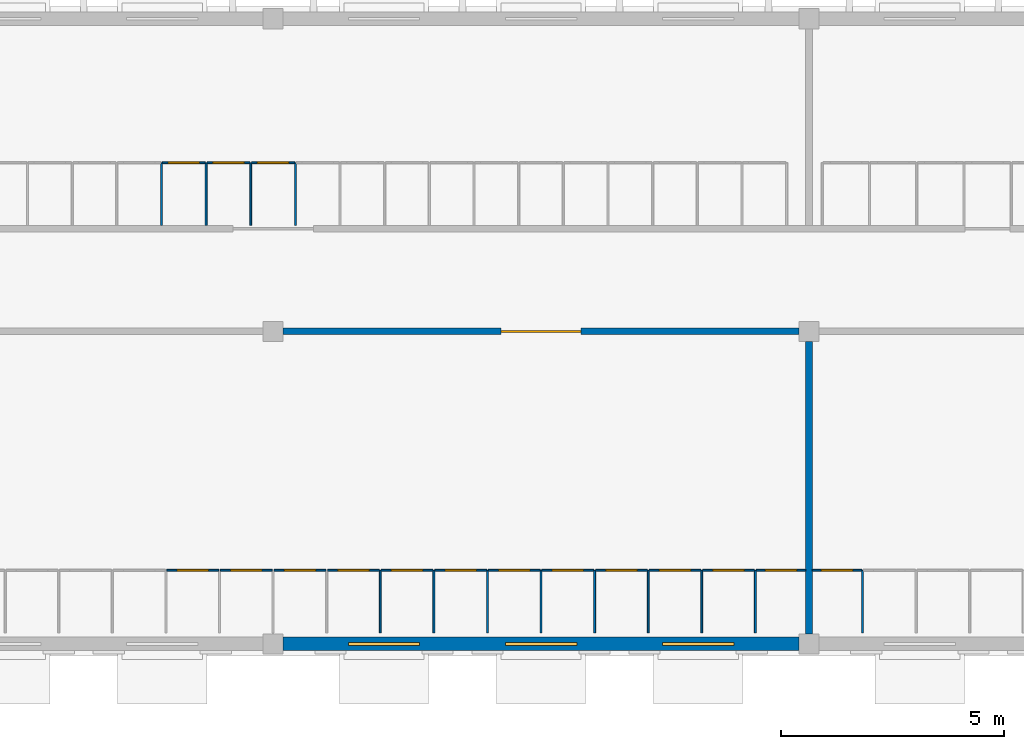
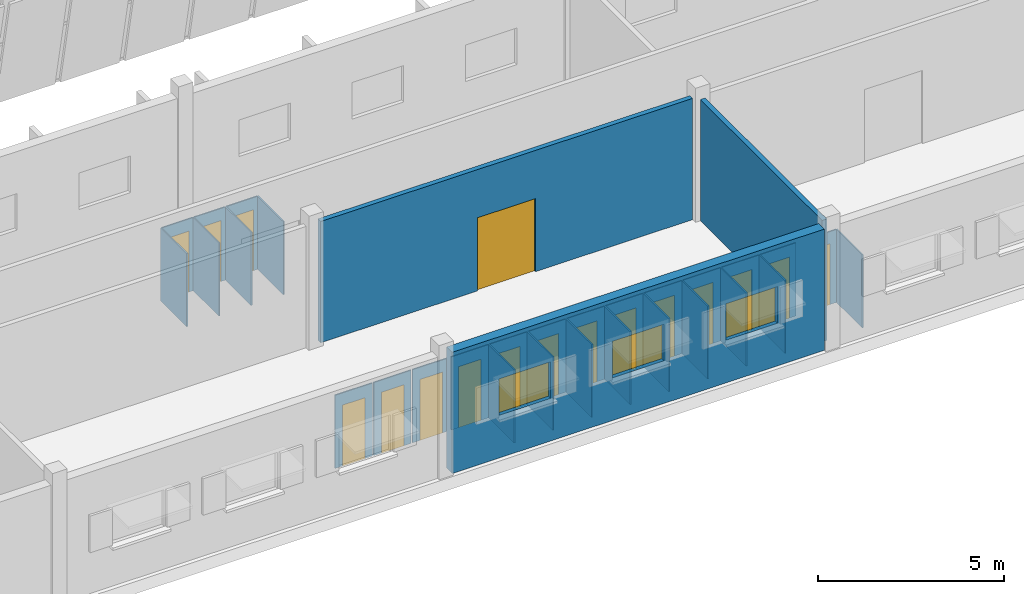
# One storey, part 63 of 115: 32 walls, 17 doors, 3 windows, 20 openings.
"""IFC4 building model written with IfcOpenShell, lengths in metres."""

from ifc_helpers import new_model, si_unit, direction, frame, frame_2d, origin, place, context, subcontext, project, spatial, rectangle, extrude, material, layer, layer_set, type_object, element, fill, save


model = new_model("IFC4")

# Units and contexts
model_context = context("Model", 3, precision=1e-05, world=origin(), true_north=direction((0.0, 1.0)))
body_context = subcontext(model_context, "Body", "Model", "MODEL_VIEW")
ifc_project = project(units=[si_unit("LENGTHUNIT", "METRE"), si_unit("AREAUNIT", "SQUARE_METRE"), si_unit("VOLUMEUNIT", "CUBIC_METRE"), si_unit("PLANEANGLEUNIT", "RADIAN"), si_unit("MASSUNIT", "GRAM", prefix="KILO")], contexts=[model_context])

# Site, building, storey
site_placement = place(None, origin())
site = spatial("IfcSite", under=ifc_project, at=site_placement, CompositionType="ELEMENT")
building_placement = place(site_placement, origin())
building = spatial("IfcBuilding", under=site, at=building_placement, Name="Windward Yard Aquatics Centre", CompositionType="ELEMENT")
storey_placement = place(building_placement, frame((0.0, 0.0, 5.0)))
storey = spatial("IfcBuildingStorey", under=building, at=storey_placement, Name="L01", CompositionType="ELEMENT", Elevation=5.0)

# Wall, opening, door
ifc_material_1 = material(Name="Concrete masonry unit plastered", Category="masonry")
ifc_layer_1 = layer(ifc_material_1, 0.14990234375)
ifc_layer_set_1 = layer_set([ifc_layer_1], Name="C block partition 150")
wall_type_1 = type_object("IfcWallType", Name="C block partition 150", PredefinedType="PARTITIONING", material=ifc_layer_set_1)
wall_1_placement = place(storey_placement, frame((72.22509765625, 12.0, 0.0), z_axis=(0.0, 0.0, 1.0), x_axis=(1.0, 0.0, 0.0)))
wall_1 = element("IfcWall", 1, at=wall_1_placement, inside=storey, type_object=wall_type_1, Name="C.W.L01.SP.S.3", PredefinedType="PARTITIONING", context=body_context, shape_type="SweptSolid", body=[
    extrude(rectangle(XDim=11.5498046875, YDim=0.14990234375, at=frame_2d((5.77490234375, 0.0))), origin(), (0.0, 0.0, 1.0), 3.97998046875),
])
opening_1_placement = place(wall_1_placement, frame((4.875, 0.0, 0.0)))
opening_1 = element("IfcOpeningElement", 2, at=opening_1_placement, cuts=wall_1, Name="Opening C1002", PredefinedType="OPENING", context=body_context, shape_type="SweptSolid", body=[
    extrude(rectangle(XDim=1.800048828125, YDim=2.39990234375, at=frame_2d((0.89990234375, 1.199951171875))), frame((0.0, 0.0849609375, 0.0), z_axis=(0.0, -1.0, 0.0), x_axis=(1.0, 0.0, 0.0)), (0.0, 0.0, 1.0), 0.169921875),
])
ifc_material_2 = material(Name="Timber door leaf in steel frame", Category="steel")
door_type_1 = type_object("IfcDoorType", Name="C double door 1800X2400 FD30S", OperationType="DOUBLE_DOOR_SINGLE_SWING", PredefinedType="DOOR", material=ifc_material_2)
door_1_placement = place(opening_1_placement, origin())
door_1 = element("IfcDoor", 3, at=door_1_placement, inside=storey, type_object=door_type_1, Name="Door C1002", OperationType="DOUBLE_DOOR_SINGLE_SWING", OverallHeight=2.39990234375, OverallWidth=1.800048828125, PredefinedType="DOOR", context=body_context, shape_type="SweptSolid", body=[
    extrude(rectangle(XDim=1.800048828125, YDim=2.39990234375, at=frame_2d((0.89990234375, 1.199951171875))), frame((0.0, 0.02490234375, 0.0), z_axis=(0.0, -1.0, 0.0), x_axis=(1.0, 0.0, 0.0)), (0.0, 0.0, 1.0), 0.050048828125),
])
fill(opening_1, door_1)

# Walls
wall_2_placement = place(storey_placement, frame((84.0, 5.22509765625, 0.0), z_axis=(0.0, 0.0, 1.0), x_axis=(0.0, 1.0, 0.0)))
element("IfcWall", 4, at=wall_2_placement, inside=storey, type_object=wall_type_1, Name="C.W.L01.SD.32.1", PredefinedType="PARTITIONING", context=body_context, shape_type="SweptSolid", body=[
    extrude(rectangle(XDim=6.5498046875, YDim=0.14990234375, at=frame_2d((3.27490234375, 0.0))), origin(), (0.0, 0.0, 1.0), 3.97998046875),
])
ifc_material_3 = material(Name="High-pressure laminate panel on stainless frame")
ifc_layer_2 = layer(ifc_material_3, 0.0400390625)
ifc_layer_set_2 = layer_set([ifc_layer_2], Name="C cubicle panel 40")
wall_type_2 = type_object("IfcWallType", Name="C cubicle panel 40", PredefinedType="PARTITIONING", material=ifc_layer_set_2)
for number, where, z_axis, x_axis, name in (
    (5, (74.39990234375, 5.25, 0.0), (0.0, 0.0, 1.0), (0.0, 1.0, 0.0), "C.W.L01.A.P12"),
    (6, (75.60009765625, 5.25, 0.0), (0.0, 0.0, 1.0), (0.0, 1.0, 0.0), "C.W.L01.A.P13"),
    (7, (76.800048828125, 5.25, 0.0), (0.0, 0.0, 1.0), (0.0, 1.0, 0.0), "C.W.L01.A.P14"),
    (8, (78.0, 5.25, 0.0), (0.0, 0.0, 1.0), (0.0, 1.0, 0.0), "C.W.L01.A.P15"),
    (9, (79.199951171875, 5.25, 0.0), (0.0, 0.0, 1.0), (0.0, 1.0, 0.0), "C.W.L01.A.P16"),
    (10, (80.39990234375, 5.25, 0.0), (0.0, 0.0, 1.0), (0.0, 1.0, 0.0), "C.W.L01.A.P17"),
    (11, (81.60009765625, 5.25, 0.0), (0.0, 0.0, 1.0), (0.0, 1.0, 0.0), "C.W.L01.A.P18"),
    (12, (82.800048828125, 5.25, 0.0), (0.0, 0.0, 1.0), (0.0, 1.0, 0.0), "C.W.L01.A.P19"),
    (13, (85.199951171875, 5.25, 0.0), (0.0, 0.0, 1.0), (0.0, 1.0, 0.0), "C.W.L01.A.P21"),
):
    element("IfcWall", number, at=place(storey_placement, frame(where, z_axis=z_axis, x_axis=x_axis)), inside=storey, type_object=wall_type_2, Name=name, PredefinedType="PARTITIONING", context=body_context, shape_type="SweptSolid", body=[
        extrude(rectangle(XDim=1.39990234375, YDim=0.0400390625, at=frame_2d((0.699951171875, 0.0))), origin(), (0.0, 0.0, 1.0), 2.39990234375),
    ])

# Wall, opening, door
wall_3_placement = place(storey_placement, frame((69.6201171875, 6.64990234375, 0.0), z_axis=(0.0, 0.0, 1.0), x_axis=(1.0, 0.0, 0.0)))
wall_3 = element("IfcWall", 14, at=wall_3_placement, inside=storey, type_object=wall_type_2, Name="C.W.L01.A.F8", PredefinedType="PARTITIONING", context=body_context, shape_type="SweptSolid", body=[
    extrude(rectangle(XDim=1.159912109375, YDim=0.0400390625, at=frame_2d((0.580078125, 0.0))), origin(), (0.0, 0.0, 1.0), 2.39990234375),
])
opening_2_placement = place(wall_3_placement, frame((0.22998046875, 0.0, 0.0)))
opening_2 = element("IfcOpeningElement", 15, at=opening_2_placement, cuts=wall_3, Name="Opening C1029", PredefinedType="OPENING", context=body_context, shape_type="SweptSolid", body=[
    extrude(rectangle(XDim=0.699951171875, YDim=2.0, at=frame_2d((0.35009765625, 1.0))), frame((0.0, 0.030029296875, 0.0), z_axis=(0.0, -1.0, 0.0), x_axis=(1.0, 0.0, 0.0)), (0.0, 0.0, 1.0), 0.06005859375),
])
ifc_material_4 = material(Name="High-pressure laminate door leaf")
door_type_2 = type_object("IfcDoorType", Name="C door 700X2000 NOT RATED", OperationType="SINGLE_SWING_LEFT", PredefinedType="DOOR", material=ifc_material_4)
door_2_placement = place(opening_2_placement, origin())
door_2 = element("IfcDoor", 16, at=door_2_placement, inside=storey, type_object=door_type_2, Name="Cubicle door A9", OperationType="SINGLE_SWING_LEFT", OverallHeight=2.0, OverallWidth=0.699951171875, PredefinedType="DOOR", context=body_context, shape_type="SweptSolid", body=[
    extrude(rectangle(XDim=0.699951171875, YDim=2.0, at=frame_2d((0.35009765625, 1.0))), frame((0.0, 0.019775390625, 0.0), z_axis=(0.0, -1.0, 0.0), x_axis=(1.0, 0.0, 0.0)), (0.0, 0.0, 1.0), 0.03955078125),
])
fill(opening_2, door_2)

wall_4_placement = place(storey_placement, frame((70.820068359375, 6.64990234375, 0.0), z_axis=(0.0, 0.0, 1.0), x_axis=(1.0, 0.0, 0.0)))
wall_4 = element("IfcWall", 17, at=wall_4_placement, inside=storey, type_object=wall_type_2, Name="C.W.L01.A.F9", PredefinedType="PARTITIONING", context=body_context, shape_type="SweptSolid", body=[
    extrude(rectangle(XDim=1.159912109375, YDim=0.0400390625, at=frame_2d((0.580078125, 0.0))), origin(), (0.0, 0.0, 1.0), 2.39990234375),
])
opening_3_placement = place(wall_4_placement, frame((0.22998046875, 0.0, 0.0)))
opening_3 = element("IfcOpeningElement", 18, at=opening_3_placement, cuts=wall_4, Name="Opening C1030", PredefinedType="OPENING", context=body_context, shape_type="SweptSolid", body=[
    extrude(rectangle(XDim=0.699951171875, YDim=2.0, at=frame_2d((0.35009765625, 1.0))), frame((0.0, 0.030029296875, 0.0), z_axis=(0.0, -1.0, 0.0), x_axis=(1.0, 0.0, 0.0)), (0.0, 0.0, 1.0), 0.06005859375),
])
door_3_placement = place(opening_3_placement, origin())
door_3 = element("IfcDoor", 19, at=door_3_placement, inside=storey, type_object=door_type_2, Name="Cubicle door A10", OperationType="SINGLE_SWING_LEFT", OverallHeight=2.0, OverallWidth=0.699951171875, PredefinedType="DOOR", context=body_context, shape_type="SweptSolid", body=[
    extrude(rectangle(XDim=0.699951171875, YDim=2.0, at=frame_2d((0.35009765625, 1.0))), frame((0.0, 0.019775390625, 0.0), z_axis=(0.0, -1.0, 0.0), x_axis=(1.0, 0.0, 0.0)), (0.0, 0.0, 1.0), 0.03955078125),
])
fill(opening_3, door_3)

wall_5_placement = place(storey_placement, frame((72.02001953125, 6.64990234375, 0.0), z_axis=(0.0, 0.0, 1.0), x_axis=(1.0, 0.0, 0.0)))
wall_5 = element("IfcWall", 20, at=wall_5_placement, inside=storey, type_object=wall_type_2, Name="C.W.L01.A.F10", PredefinedType="PARTITIONING", context=body_context, shape_type="SweptSolid", body=[
    extrude(rectangle(XDim=1.159912109375, YDim=0.0400390625, at=frame_2d((0.580078125, 0.0))), origin(), (0.0, 0.0, 1.0), 2.39990234375),
])
opening_4_placement = place(wall_5_placement, frame((0.22998046875, 0.0, 0.0)))
opening_4 = element("IfcOpeningElement", 21, at=opening_4_placement, cuts=wall_5, Name="Opening C1031", PredefinedType="OPENING", context=body_context, shape_type="SweptSolid", body=[
    extrude(rectangle(XDim=0.699951171875, YDim=2.0, at=frame_2d((0.35009765625, 1.0))), frame((0.0, 0.030029296875, 0.0), z_axis=(0.0, -1.0, 0.0), x_axis=(1.0, 0.0, 0.0)), (0.0, 0.0, 1.0), 0.06005859375),
])
door_4_placement = place(opening_4_placement, origin())
door_4 = element("IfcDoor", 22, at=door_4_placement, inside=storey, type_object=door_type_2, Name="Cubicle door A11", OperationType="SINGLE_SWING_LEFT", OverallHeight=2.0, OverallWidth=0.699951171875, PredefinedType="DOOR", context=body_context, shape_type="SweptSolid", body=[
    extrude(rectangle(XDim=0.699951171875, YDim=2.0, at=frame_2d((0.35009765625, 1.0))), frame((0.0, 0.019775390625, 0.0), z_axis=(0.0, -1.0, 0.0), x_axis=(1.0, 0.0, 0.0)), (0.0, 0.0, 1.0), 0.03955078125),
])
fill(opening_4, door_4)

wall_6_placement = place(storey_placement, frame((73.219970703125, 6.64990234375, 0.0), z_axis=(0.0, 0.0, 1.0), x_axis=(1.0, 0.0, 0.0)))
wall_6 = element("IfcWall", 23, at=wall_6_placement, inside=storey, type_object=wall_type_2, Name="C.W.L01.A.F11", PredefinedType="PARTITIONING", context=body_context, shape_type="SweptSolid", body=[
    extrude(rectangle(XDim=1.159912109375, YDim=0.0400390625, at=frame_2d((0.580078125, 0.0))), origin(), (0.0, 0.0, 1.0), 2.39990234375),
])
opening_5_placement = place(wall_6_placement, frame((0.22998046875, 0.0, 0.0)))
opening_5 = element("IfcOpeningElement", 24, at=opening_5_placement, cuts=wall_6, Name="Opening C1032", PredefinedType="OPENING", context=body_context, shape_type="SweptSolid", body=[
    extrude(rectangle(XDim=0.699951171875, YDim=2.0, at=frame_2d((0.35009765625, 1.0))), frame((0.0, 0.030029296875, 0.0), z_axis=(0.0, -1.0, 0.0), x_axis=(1.0, 0.0, 0.0)), (0.0, 0.0, 1.0), 0.06005859375),
])
door_5_placement = place(opening_5_placement, origin())
door_5 = element("IfcDoor", 25, at=door_5_placement, inside=storey, type_object=door_type_2, Name="Cubicle door A12", OperationType="SINGLE_SWING_LEFT", OverallHeight=2.0, OverallWidth=0.699951171875, PredefinedType="DOOR", context=body_context, shape_type="SweptSolid", body=[
    extrude(rectangle(XDim=0.699951171875, YDim=2.0, at=frame_2d((0.35009765625, 1.0))), frame((0.0, 0.019775390625, 0.0), z_axis=(0.0, -1.0, 0.0), x_axis=(1.0, 0.0, 0.0)), (0.0, 0.0, 1.0), 0.03955078125),
])
fill(opening_5, door_5)

wall_7_placement = place(storey_placement, frame((74.419921875, 6.64990234375, 0.0), z_axis=(0.0, 0.0, 1.0), x_axis=(1.0, 0.0, 0.0)))
wall_7 = element("IfcWall", 26, at=wall_7_placement, inside=storey, type_object=wall_type_2, Name="C.W.L01.A.F12", PredefinedType="PARTITIONING", context=body_context, shape_type="SweptSolid", body=[
    extrude(rectangle(XDim=1.16015625, YDim=0.0400390625, at=frame_2d((0.580078125, 0.0))), origin(), (0.0, 0.0, 1.0), 2.39990234375),
])
opening_6_placement = place(wall_7_placement, frame((0.22998046875, 0.0, 0.0)))
opening_6 = element("IfcOpeningElement", 27, at=opening_6_placement, cuts=wall_7, Name="Opening C1033", PredefinedType="OPENING", context=body_context, shape_type="SweptSolid", body=[
    extrude(rectangle(XDim=0.699951171875, YDim=2.0, at=frame_2d((0.35009765625, 1.0))), frame((0.0, 0.030029296875, 0.0), z_axis=(0.0, -1.0, 0.0), x_axis=(1.0, 0.0, 0.0)), (0.0, 0.0, 1.0), 0.06005859375),
])
door_6_placement = place(opening_6_placement, origin())
door_6 = element("IfcDoor", 28, at=door_6_placement, inside=storey, type_object=door_type_2, Name="Cubicle door A13", OperationType="SINGLE_SWING_LEFT", OverallHeight=2.0, OverallWidth=0.699951171875, PredefinedType="DOOR", context=body_context, shape_type="SweptSolid", body=[
    extrude(rectangle(XDim=0.699951171875, YDim=2.0, at=frame_2d((0.35009765625, 1.0))), frame((0.0, 0.019775390625, 0.0), z_axis=(0.0, -1.0, 0.0), x_axis=(1.0, 0.0, 0.0)), (0.0, 0.0, 1.0), 0.03955078125),
])
fill(opening_6, door_6)

wall_8_placement = place(storey_placement, frame((75.6201171875, 6.64990234375, 0.0), z_axis=(0.0, 0.0, 1.0), x_axis=(1.0, 0.0, 0.0)))
wall_8 = element("IfcWall", 29, at=wall_8_placement, inside=storey, type_object=wall_type_2, Name="C.W.L01.A.F13", PredefinedType="PARTITIONING", context=body_context, shape_type="SweptSolid", body=[
    extrude(rectangle(XDim=1.159912109375, YDim=0.0400390625, at=frame_2d((0.580078125, 0.0))), origin(), (0.0, 0.0, 1.0), 2.39990234375),
])
opening_7_placement = place(wall_8_placement, frame((0.22998046875, 0.0, 0.0)))
opening_7 = element("IfcOpeningElement", 30, at=opening_7_placement, cuts=wall_8, Name="Opening C1034", PredefinedType="OPENING", context=body_context, shape_type="SweptSolid", body=[
    extrude(rectangle(XDim=0.699951171875, YDim=2.0, at=frame_2d((0.35009765625, 1.0))), frame((0.0, 0.030029296875, 0.0), z_axis=(0.0, -1.0, 0.0), x_axis=(1.0, 0.0, 0.0)), (0.0, 0.0, 1.0), 0.06005859375),
])
door_7_placement = place(opening_7_placement, origin())
door_7 = element("IfcDoor", 31, at=door_7_placement, inside=storey, type_object=door_type_2, Name="Cubicle door A14", OperationType="SINGLE_SWING_LEFT", OverallHeight=2.0, OverallWidth=0.699951171875, PredefinedType="DOOR", context=body_context, shape_type="SweptSolid", body=[
    extrude(rectangle(XDim=0.699951171875, YDim=2.0, at=frame_2d((0.35009765625, 1.0))), frame((0.0, 0.019775390625, 0.0), z_axis=(0.0, -1.0, 0.0), x_axis=(1.0, 0.0, 0.0)), (0.0, 0.0, 1.0), 0.03955078125),
])
fill(opening_7, door_7)

wall_9_placement = place(storey_placement, frame((76.820068359375, 6.64990234375, 0.0), z_axis=(0.0, 0.0, 1.0), x_axis=(1.0, 0.0, 0.0)))
wall_9 = element("IfcWall", 32, at=wall_9_placement, inside=storey, type_object=wall_type_2, Name="C.W.L01.A.F14", PredefinedType="PARTITIONING", context=body_context, shape_type="SweptSolid", body=[
    extrude(rectangle(XDim=1.159912109375, YDim=0.0400390625, at=frame_2d((0.580078125, 0.0))), origin(), (0.0, 0.0, 1.0), 2.39990234375),
])
opening_8_placement = place(wall_9_placement, frame((0.22998046875, 0.0, 0.0)))
opening_8 = element("IfcOpeningElement", 33, at=opening_8_placement, cuts=wall_9, Name="Opening C1035", PredefinedType="OPENING", context=body_context, shape_type="SweptSolid", body=[
    extrude(rectangle(XDim=0.699951171875, YDim=2.0, at=frame_2d((0.35009765625, 1.0))), frame((0.0, 0.030029296875, 0.0), z_axis=(0.0, -1.0, 0.0), x_axis=(1.0, 0.0, 0.0)), (0.0, 0.0, 1.0), 0.06005859375),
])
door_8_placement = place(opening_8_placement, origin())
door_8 = element("IfcDoor", 34, at=door_8_placement, inside=storey, type_object=door_type_2, Name="Cubicle door A15", OperationType="SINGLE_SWING_LEFT", OverallHeight=2.0, OverallWidth=0.699951171875, PredefinedType="DOOR", context=body_context, shape_type="SweptSolid", body=[
    extrude(rectangle(XDim=0.699951171875, YDim=2.0, at=frame_2d((0.35009765625, 1.0))), frame((0.0, 0.019775390625, 0.0), z_axis=(0.0, -1.0, 0.0), x_axis=(1.0, 0.0, 0.0)), (0.0, 0.0, 1.0), 0.03955078125),
])
fill(opening_8, door_8)

wall_10_placement = place(storey_placement, frame((78.02001953125, 6.64990234375, 0.0), z_axis=(0.0, 0.0, 1.0), x_axis=(1.0, 0.0, 0.0)))
wall_10 = element("IfcWall", 35, at=wall_10_placement, inside=storey, type_object=wall_type_2, Name="C.W.L01.A.F15", PredefinedType="PARTITIONING", context=body_context, shape_type="SweptSolid", body=[
    extrude(rectangle(XDim=1.159912109375, YDim=0.0400390625, at=frame_2d((0.580078125, 0.0))), origin(), (0.0, 0.0, 1.0), 2.39990234375),
])
opening_9_placement = place(wall_10_placement, frame((0.22998046875, 0.0, 0.0)))
opening_9 = element("IfcOpeningElement", 36, at=opening_9_placement, cuts=wall_10, Name="Opening C1036", PredefinedType="OPENING", context=body_context, shape_type="SweptSolid", body=[
    extrude(rectangle(XDim=0.699951171875, YDim=2.0, at=frame_2d((0.35009765625, 1.0))), frame((0.0, 0.030029296875, 0.0), z_axis=(0.0, -1.0, 0.0), x_axis=(1.0, 0.0, 0.0)), (0.0, 0.0, 1.0), 0.06005859375),
])
door_9_placement = place(opening_9_placement, origin())
door_9 = element("IfcDoor", 37, at=door_9_placement, inside=storey, type_object=door_type_2, Name="Cubicle door A16", OperationType="SINGLE_SWING_LEFT", OverallHeight=2.0, OverallWidth=0.699951171875, PredefinedType="DOOR", context=body_context, shape_type="SweptSolid", body=[
    extrude(rectangle(XDim=0.699951171875, YDim=2.0, at=frame_2d((0.35009765625, 1.0))), frame((0.0, 0.019775390625, 0.0), z_axis=(0.0, -1.0, 0.0), x_axis=(1.0, 0.0, 0.0)), (0.0, 0.0, 1.0), 0.03955078125),
])
fill(opening_9, door_9)

wall_11_placement = place(storey_placement, frame((79.219970703125, 6.64990234375, 0.0), z_axis=(0.0, 0.0, 1.0), x_axis=(1.0, 0.0, 0.0)))
wall_11 = element("IfcWall", 38, at=wall_11_placement, inside=storey, type_object=wall_type_2, Name="C.W.L01.A.F16", PredefinedType="PARTITIONING", context=body_context, shape_type="SweptSolid", body=[
    extrude(rectangle(XDim=1.159912109375, YDim=0.0400390625, at=frame_2d((0.580078125, 0.0))), origin(), (0.0, 0.0, 1.0), 2.39990234375),
])
opening_10_placement = place(wall_11_placement, frame((0.22998046875, 0.0, 0.0)))
opening_10 = element("IfcOpeningElement", 39, at=opening_10_placement, cuts=wall_11, Name="Opening C1037", PredefinedType="OPENING", context=body_context, shape_type="SweptSolid", body=[
    extrude(rectangle(XDim=0.699951171875, YDim=2.0, at=frame_2d((0.35009765625, 1.0))), frame((0.0, 0.030029296875, 0.0), z_axis=(0.0, -1.0, 0.0), x_axis=(1.0, 0.0, 0.0)), (0.0, 0.0, 1.0), 0.06005859375),
])
door_10_placement = place(opening_10_placement, origin())
door_10 = element("IfcDoor", 40, at=door_10_placement, inside=storey, type_object=door_type_2, Name="Cubicle door A17", OperationType="SINGLE_SWING_LEFT", OverallHeight=2.0, OverallWidth=0.699951171875, PredefinedType="DOOR", context=body_context, shape_type="SweptSolid", body=[
    extrude(rectangle(XDim=0.699951171875, YDim=2.0, at=frame_2d((0.35009765625, 1.0))), frame((0.0, 0.019775390625, 0.0), z_axis=(0.0, -1.0, 0.0), x_axis=(1.0, 0.0, 0.0)), (0.0, 0.0, 1.0), 0.03955078125),
])
fill(opening_10, door_10)

wall_12_placement = place(storey_placement, frame((80.419921875, 6.64990234375, 0.0), z_axis=(0.0, 0.0, 1.0), x_axis=(1.0, 0.0, 0.0)))
wall_12 = element("IfcWall", 41, at=wall_12_placement, inside=storey, type_object=wall_type_2, Name="C.W.L01.A.F17", PredefinedType="PARTITIONING", context=body_context, shape_type="SweptSolid", body=[
    extrude(rectangle(XDim=1.16015625, YDim=0.0400390625, at=frame_2d((0.580078125, 0.0))), origin(), (0.0, 0.0, 1.0), 2.39990234375),
])
opening_11_placement = place(wall_12_placement, frame((0.22998046875, 0.0, 0.0)))
opening_11 = element("IfcOpeningElement", 42, at=opening_11_placement, cuts=wall_12, Name="Opening C1038", PredefinedType="OPENING", context=body_context, shape_type="SweptSolid", body=[
    extrude(rectangle(XDim=0.699951171875, YDim=2.0, at=frame_2d((0.35009765625, 1.0))), frame((0.0, 0.030029296875, 0.0), z_axis=(0.0, -1.0, 0.0), x_axis=(1.0, 0.0, 0.0)), (0.0, 0.0, 1.0), 0.06005859375),
])
door_11_placement = place(opening_11_placement, origin())
door_11 = element("IfcDoor", 43, at=door_11_placement, inside=storey, type_object=door_type_2, Name="Cubicle door A18", OperationType="SINGLE_SWING_LEFT", OverallHeight=2.0, OverallWidth=0.699951171875, PredefinedType="DOOR", context=body_context, shape_type="SweptSolid", body=[
    extrude(rectangle(XDim=0.699951171875, YDim=2.0, at=frame_2d((0.35009765625, 1.0))), frame((0.0, 0.019775390625, 0.0), z_axis=(0.0, -1.0, 0.0), x_axis=(1.0, 0.0, 0.0)), (0.0, 0.0, 1.0), 0.03955078125),
])
fill(opening_11, door_11)

wall_13_placement = place(storey_placement, frame((81.6201171875, 6.64990234375, 0.0), z_axis=(0.0, 0.0, 1.0), x_axis=(1.0, 0.0, 0.0)))
wall_13 = element("IfcWall", 44, at=wall_13_placement, inside=storey, type_object=wall_type_2, Name="C.W.L01.A.F18", PredefinedType="PARTITIONING", context=body_context, shape_type="SweptSolid", body=[
    extrude(rectangle(XDim=1.159912109375, YDim=0.0400390625, at=frame_2d((0.580078125, 0.0))), origin(), (0.0, 0.0, 1.0), 2.39990234375),
])
opening_12_placement = place(wall_13_placement, frame((0.22998046875, 0.0, 0.0)))
opening_12 = element("IfcOpeningElement", 45, at=opening_12_placement, cuts=wall_13, Name="Opening C1039", PredefinedType="OPENING", context=body_context, shape_type="SweptSolid", body=[
    extrude(rectangle(XDim=0.699951171875, YDim=2.0, at=frame_2d((0.35009765625, 1.0))), frame((0.0, 0.030029296875, 0.0), z_axis=(0.0, -1.0, 0.0), x_axis=(1.0, 0.0, 0.0)), (0.0, 0.0, 1.0), 0.06005859375),
])
door_12_placement = place(opening_12_placement, origin())
door_12 = element("IfcDoor", 46, at=door_12_placement, inside=storey, type_object=door_type_2, Name="Cubicle door A19", OperationType="SINGLE_SWING_LEFT", OverallHeight=2.0, OverallWidth=0.699951171875, PredefinedType="DOOR", context=body_context, shape_type="SweptSolid", body=[
    extrude(rectangle(XDim=0.699951171875, YDim=2.0, at=frame_2d((0.35009765625, 1.0))), frame((0.0, 0.019775390625, 0.0), z_axis=(0.0, -1.0, 0.0), x_axis=(1.0, 0.0, 0.0)), (0.0, 0.0, 1.0), 0.03955078125),
])
fill(opening_12, door_12)

wall_14_placement = place(storey_placement, frame((82.820068359375, 6.64990234375, 0.0), z_axis=(0.0, 0.0, 1.0), x_axis=(1.0, 0.0, 0.0)))
wall_14 = element("IfcWall", 47, at=wall_14_placement, inside=storey, type_object=wall_type_2, Name="C.W.L01.A.F19", PredefinedType="PARTITIONING", context=body_context, shape_type="SweptSolid", body=[
    extrude(rectangle(XDim=1.10498046875, YDim=0.0400390625, at=frame_2d((0.552490234375, 0.0))), origin(), (0.0, 0.0, 1.0), 2.39990234375),
])
opening_13_placement = place(wall_14_placement, frame((0.202392578125, 0.0, 0.0)))
opening_13 = element("IfcOpeningElement", 48, at=opening_13_placement, cuts=wall_14, Name="Opening C1040", PredefinedType="OPENING", context=body_context, shape_type="SweptSolid", body=[
    extrude(rectangle(XDim=0.699951171875, YDim=2.0, at=frame_2d((0.35009765625, 1.0))), frame((0.0, 0.030029296875, 0.0), z_axis=(0.0, -1.0, 0.0), x_axis=(1.0, 0.0, 0.0)), (0.0, 0.0, 1.0), 0.06005859375),
])
door_13_placement = place(opening_13_placement, origin())
door_13 = element("IfcDoor", 49, at=door_13_placement, inside=storey, type_object=door_type_2, Name="Cubicle door A20", OperationType="SINGLE_SWING_LEFT", OverallHeight=2.0, OverallWidth=0.699951171875, PredefinedType="DOOR", context=body_context, shape_type="SweptSolid", body=[
    extrude(rectangle(XDim=0.699951171875, YDim=2.0, at=frame_2d((0.35009765625, 1.0))), frame((0.0, 0.019775390625, 0.0), z_axis=(0.0, -1.0, 0.0), x_axis=(1.0, 0.0, 0.0)), (0.0, 0.0, 1.0), 0.03955078125),
])
fill(opening_13, door_13)

wall_15_placement = place(storey_placement, frame((84.074951171875, 6.64990234375, 0.0), z_axis=(0.0, 0.0, 1.0), x_axis=(1.0, 0.0, 0.0)))
wall_15 = element("IfcWall", 50, at=wall_15_placement, inside=storey, type_object=wall_type_2, Name="C.W.L01.A.F20", PredefinedType="PARTITIONING", context=body_context, shape_type="SweptSolid", body=[
    extrude(rectangle(XDim=1.10498046875, YDim=0.0400390625, at=frame_2d((0.552490234375, 0.0))), origin(), (0.0, 0.0, 1.0), 2.39990234375),
])
opening_14_placement = place(wall_15_placement, frame((0.202392578125, 0.0, 0.0)))
opening_14 = element("IfcOpeningElement", 51, at=opening_14_placement, cuts=wall_15, Name="Opening C1041", PredefinedType="OPENING", context=body_context, shape_type="SweptSolid", body=[
    extrude(rectangle(XDim=0.699951171875, YDim=2.0, at=frame_2d((0.35009765625, 1.0))), frame((0.0, 0.030029296875, 0.0), z_axis=(0.0, -1.0, 0.0), x_axis=(1.0, 0.0, 0.0)), (0.0, 0.0, 1.0), 0.06005859375),
])
door_14_placement = place(opening_14_placement, origin())
door_14 = element("IfcDoor", 52, at=door_14_placement, inside=storey, type_object=door_type_2, Name="Cubicle door A21", OperationType="SINGLE_SWING_LEFT", OverallHeight=2.0, OverallWidth=0.699951171875, PredefinedType="DOOR", context=body_context, shape_type="SweptSolid", body=[
    extrude(rectangle(XDim=0.699951171875, YDim=2.0, at=frame_2d((0.35009765625, 1.0))), frame((0.0, 0.019775390625, 0.0), z_axis=(0.0, -1.0, 0.0), x_axis=(1.0, 0.0, 0.0)), (0.0, 0.0, 1.0), 0.03955078125),
])
fill(opening_14, door_14)

# Walls
for number, where, z_axis, x_axis, name in (
    (53, (69.5, 14.375, 0.0), (0.0, 0.0, 1.0), (0.0, 1.0, 0.0), "C.W.L01.E.P9"),
    (54, (70.5, 14.375, 0.0), (0.0, 0.0, 1.0), (0.0, 1.0, 0.0), "C.W.L01.E.P10"),
    (55, (71.5, 14.375, 0.0), (0.0, 0.0, 1.0), (0.0, 1.0, 0.0), "C.W.L01.E.P11"),
    (56, (72.5, 14.375, 0.0), (0.0, 0.0, 1.0), (0.0, 1.0, 0.0), "C.W.L01.E.P12"),
):
    element("IfcWall", number, at=place(storey_placement, frame(where, z_axis=z_axis, x_axis=x_axis)), inside=storey, type_object=wall_type_2, Name=name, PredefinedType="PARTITIONING", context=body_context, shape_type="SweptSolid", body=[
        extrude(rectangle(XDim=1.39990234375, YDim=0.0400390625, at=frame_2d((0.699951171875, 0.0))), origin(), (0.0, 0.0, 1.0), 2.39990234375),
    ])

# Wall, opening, door
wall_16_placement = place(storey_placement, frame((69.52001953125, 15.77490234375, 0.0), z_axis=(0.0, 0.0, 1.0), x_axis=(1.0, 0.0, 0.0)))
wall_16 = element("IfcWall", 57, at=wall_16_placement, inside=storey, type_object=wall_type_2, Name="C.W.L01.E.F9", PredefinedType="PARTITIONING", context=body_context, shape_type="SweptSolid", body=[
    extrude(rectangle(XDim=0.9599609375, YDim=0.0400390625, at=frame_2d((0.47998046875, 0.0))), origin(), (0.0, 0.0, 1.0), 2.39990234375),
])
opening_15_placement = place(wall_16_placement, frame((0.1298828125, 0.0, 0.0)))
opening_15 = element("IfcOpeningElement", 58, at=opening_15_placement, cuts=wall_16, Name="Opening C1060", PredefinedType="OPENING", context=body_context, shape_type="SweptSolid", body=[
    extrude(rectangle(XDim=0.699951171875, YDim=2.0, at=frame_2d((0.35009765625, 1.0))), frame((0.0, 0.030029296875, 0.0), z_axis=(0.0, -1.0, 0.0), x_axis=(1.0, 0.0, 0.0)), (0.0, 0.0, 1.0), 0.06005859375),
])
door_15_placement = place(opening_15_placement, origin())
door_15 = element("IfcDoor", 59, at=door_15_placement, inside=storey, type_object=door_type_2, Name="Cubicle door E10", OperationType="SINGLE_SWING_LEFT", OverallHeight=2.0, OverallWidth=0.699951171875, PredefinedType="DOOR", context=body_context, shape_type="SweptSolid", body=[
    extrude(rectangle(XDim=0.699951171875, YDim=2.0, at=frame_2d((0.35009765625, 1.0))), frame((0.0, 0.019775390625, 0.0), z_axis=(0.0, -1.0, 0.0), x_axis=(1.0, 0.0, 0.0)), (0.0, 0.0, 1.0), 0.03955078125),
])
fill(opening_15, door_15)

wall_17_placement = place(storey_placement, frame((70.52001953125, 15.77490234375, 0.0), z_axis=(0.0, 0.0, 1.0), x_axis=(1.0, 0.0, 0.0)))
wall_17 = element("IfcWall", 60, at=wall_17_placement, inside=storey, type_object=wall_type_2, Name="C.W.L01.E.F10", PredefinedType="PARTITIONING", context=body_context, shape_type="SweptSolid", body=[
    extrude(rectangle(XDim=0.9599609375, YDim=0.0400390625, at=frame_2d((0.47998046875, 0.0))), origin(), (0.0, 0.0, 1.0), 2.39990234375),
])
opening_16_placement = place(wall_17_placement, frame((0.1298828125, 0.0, 0.0)))
opening_16 = element("IfcOpeningElement", 61, at=opening_16_placement, cuts=wall_17, Name="Opening C1061", PredefinedType="OPENING", context=body_context, shape_type="SweptSolid", body=[
    extrude(rectangle(XDim=0.699951171875, YDim=2.0, at=frame_2d((0.35009765625, 1.0))), frame((0.0, 0.030029296875, 0.0), z_axis=(0.0, -1.0, 0.0), x_axis=(1.0, 0.0, 0.0)), (0.0, 0.0, 1.0), 0.06005859375),
])
door_16_placement = place(opening_16_placement, origin())
door_16 = element("IfcDoor", 62, at=door_16_placement, inside=storey, type_object=door_type_2, Name="Cubicle door E11", OperationType="SINGLE_SWING_LEFT", OverallHeight=2.0, OverallWidth=0.699951171875, PredefinedType="DOOR", context=body_context, shape_type="SweptSolid", body=[
    extrude(rectangle(XDim=0.699951171875, YDim=2.0, at=frame_2d((0.35009765625, 1.0))), frame((0.0, 0.019775390625, 0.0), z_axis=(0.0, -1.0, 0.0), x_axis=(1.0, 0.0, 0.0)), (0.0, 0.0, 1.0), 0.03955078125),
])
fill(opening_16, door_16)

wall_18_placement = place(storey_placement, frame((71.52001953125, 15.77490234375, 0.0), z_axis=(0.0, 0.0, 1.0), x_axis=(1.0, 0.0, 0.0)))
wall_18 = element("IfcWall", 63, at=wall_18_placement, inside=storey, type_object=wall_type_2, Name="C.W.L01.E.F11", PredefinedType="PARTITIONING", context=body_context, shape_type="SweptSolid", body=[
    extrude(rectangle(XDim=0.9599609375, YDim=0.0400390625, at=frame_2d((0.47998046875, 0.0))), origin(), (0.0, 0.0, 1.0), 2.39990234375),
])
opening_17_placement = place(wall_18_placement, frame((0.1298828125, 0.0, 0.0)))
opening_17 = element("IfcOpeningElement", 64, at=opening_17_placement, cuts=wall_18, Name="Opening C1062", PredefinedType="OPENING", context=body_context, shape_type="SweptSolid", body=[
    extrude(rectangle(XDim=0.699951171875, YDim=2.0, at=frame_2d((0.35009765625, 1.0))), frame((0.0, 0.030029296875, 0.0), z_axis=(0.0, -1.0, 0.0), x_axis=(1.0, 0.0, 0.0)), (0.0, 0.0, 1.0), 0.06005859375),
])
door_17_placement = place(opening_17_placement, origin())
door_17 = element("IfcDoor", 65, at=door_17_placement, inside=storey, type_object=door_type_2, Name="Cubicle door E12", OperationType="SINGLE_SWING_LEFT", OverallHeight=2.0, OverallWidth=0.699951171875, PredefinedType="DOOR", context=body_context, shape_type="SweptSolid", body=[
    extrude(rectangle(XDim=0.699951171875, YDim=2.0, at=frame_2d((0.35009765625, 1.0))), frame((0.0, 0.019775390625, 0.0), z_axis=(0.0, -1.0, 0.0), x_axis=(1.0, 0.0, 0.0)), (0.0, 0.0, 1.0), 0.03955078125),
])
fill(opening_17, door_17)

# Wall, openings, windows
ifc_material_5 = material(Name="Natural stone cladding", Category="masonry")
ifc_layer_3 = layer(ifc_material_5, 0.04, Name="Cladding")
ifc_material_6 = material(Name="Ventilated air cavity")
ifc_layer_4 = layer(ifc_material_6, 0.04, ventilated=True, Name="Ventilated cavity")
ifc_material_7 = material(Name="Mineral wool insulation")
ifc_layer_5 = layer(ifc_material_7, 0.06, Name="Insulation")
ifc_material_8 = material(Name="Concrete C35/45", Category="concrete")
ifc_layer_6 = layer(ifc_material_8, 0.16, Name="Structure")
ifc_layer_set_3 = layer_set([ifc_layer_3, ifc_layer_4, ifc_layer_5, ifc_layer_6], Name="C stone-faced external wall 300")
wall_type_3 = type_object("IfcWallType", Name="C stone-faced external wall 300", PredefinedType="ELEMENTEDWALL", material=ifc_layer_set_3)
wall_19_placement = place(storey_placement, frame((72.22509765625, 5.0, 0.0), z_axis=(0.0, 0.0, 1.0), x_axis=(1.0, 0.0, 0.0)))
wall_19 = element("IfcWall", 66, at=wall_19_placement, inside=storey, type_object=wall_type_3, Name="C.W.L01.S3", PredefinedType="ELEMENTEDWALL", context=body_context, shape_type="SweptSolid", body=[
    extrude(rectangle(XDim=11.5498046875, YDim=0.300048828125, at=frame_2d((5.77490234375, 0.0))), origin(), (0.0, 0.0, 1.0), 3.97998046875),
])
opening_18_placement = place(wall_19_placement, frame((1.458251953125, 0.0, 1.39990234375)))
opening_18 = element("IfcOpeningElement", 67, at=opening_18_placement, cuts=wall_19, Name="Opening CW1004", PredefinedType="OPENING", context=body_context, shape_type="SweptSolid", body=[
    extrude(rectangle(XDim=1.60009765625, YDim=1.199951171875, at=frame_2d((0.800048828125, 0.60009765625))), frame((0.0, 0.16015625, 0.0), z_axis=(0.0, -1.0, 0.0), x_axis=(1.0, 0.0, 0.0)), (0.0, 0.0, 1.0), 0.320068359375),
])
opening_19_placement = place(wall_19_placement, frame((4.97509765625, 0.0, 1.39990234375)))
opening_19 = element("IfcOpeningElement", 68, at=opening_19_placement, cuts=wall_19, Name="Opening CW1005", PredefinedType="OPENING", context=body_context, shape_type="SweptSolid", body=[
    extrude(rectangle(XDim=1.60009765625, YDim=1.199951171875, at=frame_2d((0.800048828125, 0.60009765625))), frame((0.0, 0.16015625, 0.0), z_axis=(0.0, -1.0, 0.0), x_axis=(1.0, 0.0, 0.0)), (0.0, 0.0, 1.0), 0.320068359375),
])
opening_20_placement = place(wall_19_placement, frame((8.49169921875, 0.0, 1.39990234375)))
opening_20 = element("IfcOpeningElement", 69, at=opening_20_placement, cuts=wall_19, Name="Opening CW1006", PredefinedType="OPENING", context=body_context, shape_type="SweptSolid", body=[
    extrude(rectangle(XDim=1.60009765625, YDim=1.199951171875, at=frame_2d((0.800048828125, 0.60009765625))), frame((0.0, 0.16015625, 0.0), z_axis=(0.0, -1.0, 0.0), x_axis=(1.0, 0.0, 0.0)), (0.0, 0.0, 1.0), 0.320068359375),
])
ifc_material_9 = material(Name="Aluminium framed double glazing", Category="aluminium")
window_type = type_object("IfcWindowType", Name="C window 1600X1200", PartitioningType="SINGLE_PANEL", PredefinedType="WINDOW", material=ifc_material_9)
window_1_placement = place(opening_18_placement, origin())
window_1 = element("IfcWindow", 70, at=window_1_placement, inside=storey, type_object=window_type, Name="Window CW1004", OverallHeight=1.199951171875, OverallWidth=1.60009765625, PartitioningType="SINGLE_PANEL", PredefinedType="WINDOW", context=body_context, shape_type="SweptSolid", body=[
    extrude(rectangle(XDim=1.60009765625, YDim=1.199951171875, at=frame_2d((0.800048828125, 0.60009765625))), frame((0.0, 0.030029296875, 0.0), z_axis=(0.0, -1.0, 0.0), x_axis=(1.0, 0.0, 0.0)), (0.0, 0.0, 1.0), 0.06005859375),
])
fill(opening_18, window_1)
window_2_placement = place(opening_19_placement, origin())
window_2 = element("IfcWindow", 71, at=window_2_placement, inside=storey, type_object=window_type, Name="Window CW1005", OverallHeight=1.199951171875, OverallWidth=1.60009765625, PartitioningType="SINGLE_PANEL", PredefinedType="WINDOW", context=body_context, shape_type="SweptSolid", body=[
    extrude(rectangle(XDim=1.60009765625, YDim=1.199951171875, at=frame_2d((0.800048828125, 0.60009765625))), frame((0.0, 0.030029296875, 0.0), z_axis=(0.0, -1.0, 0.0), x_axis=(1.0, 0.0, 0.0)), (0.0, 0.0, 1.0), 0.06005859375),
])
fill(opening_19, window_2)
window_3_placement = place(opening_20_placement, origin())
window_3 = element("IfcWindow", 72, at=window_3_placement, inside=storey, type_object=window_type, Name="Window CW1006", OverallHeight=1.199951171875, OverallWidth=1.60009765625, PartitioningType="SINGLE_PANEL", PredefinedType="WINDOW", context=body_context, shape_type="SweptSolid", body=[
    extrude(rectangle(XDim=1.60009765625, YDim=1.199951171875, at=frame_2d((0.800048828125, 0.60009765625))), frame((0.0, 0.030029296875, 0.0), z_axis=(0.0, -1.0, 0.0), x_axis=(1.0, 0.0, 0.0)), (0.0, 0.0, 1.0), 0.06005859375),
])
fill(opening_20, window_3)

save(model, "model.ifc")
